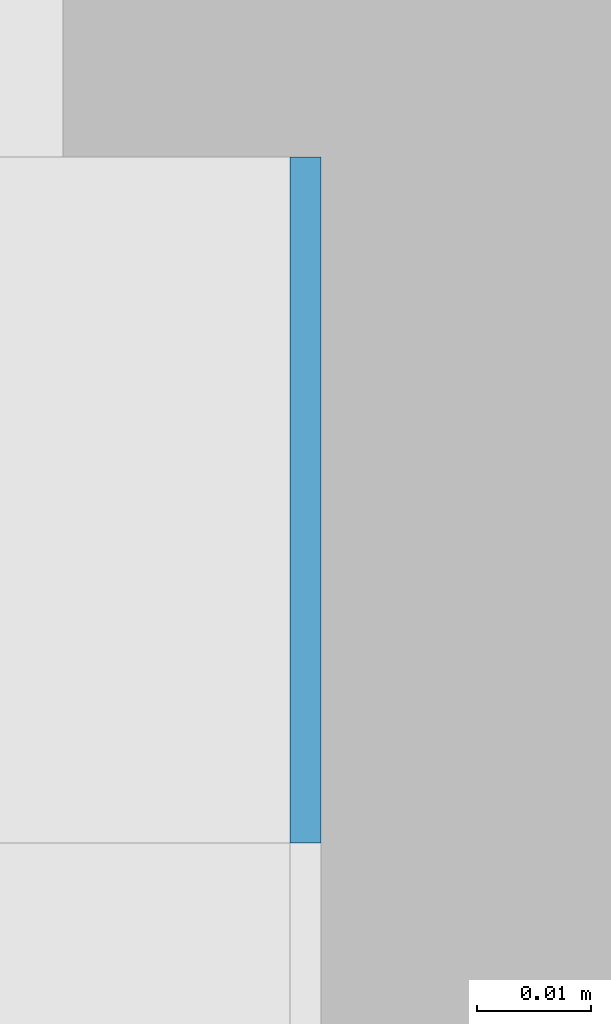
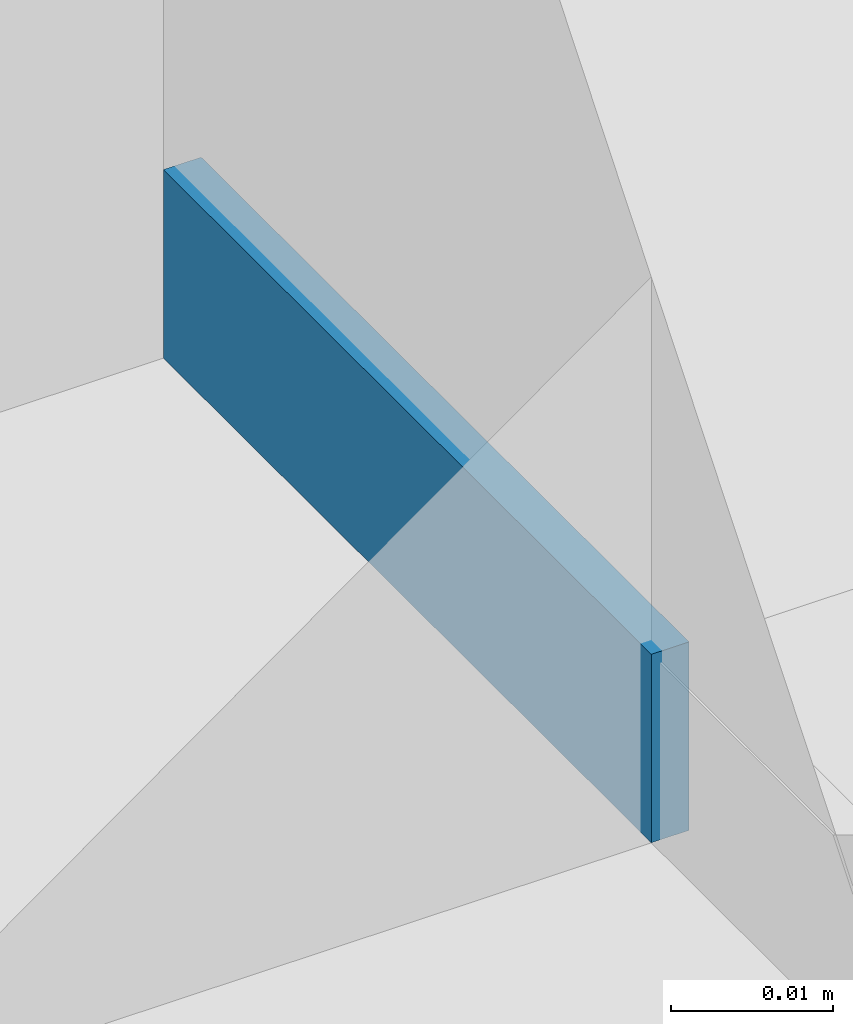
# One storey, part 334 of 646: 1 discrete accessory.
"""IFC4 building model written with IfcOpenShell, lengths in metres."""

from ifc_helpers import new_model, si_unit, direction, frame, origin, origin_2d, place, context, subcontext, project, spatial, rectangle, extrude, material, type_object, element, save


model = new_model("IFC4")

# Units and contexts
model_context = context("Model", 3, precision=1e-05, world=origin(), true_north=direction((0.0, 1.0)))
body_context = subcontext(model_context, "Body", "Model", "MODEL_VIEW")
ifc_project = project(units=[si_unit("LENGTHUNIT", "METRE"), si_unit("AREAUNIT", "SQUARE_METRE"), si_unit("VOLUMEUNIT", "CUBIC_METRE"), si_unit("PLANEANGLEUNIT", "RADIAN"), si_unit("MASSUNIT", "GRAM", prefix="KILO")], contexts=[model_context])

# Site, building, storey
site_placement = place(None, origin())
site = spatial("IfcSite", under=ifc_project, at=site_placement, CompositionType="ELEMENT")
building_placement = place(site_placement, origin())
building = spatial("IfcBuilding", under=site, at=building_placement, Name="Silverbay Arena", CompositionType="ELEMENT")
storey_placement = place(building_placement, frame((0.0, 0.0, 33.5)))
storey = spatial("IfcBuildingStorey", under=building, at=storey_placement, Name="L05", CompositionType="ELEMENT", Elevation=33.5)

# Discrete accessory
ifc_material = material(Name="Steel S355", Category="steel")
discrete_accessory_type = type_object("IfcDiscreteAccessoryType", Name="Steel bracket plate", PredefinedType="BRACKET", material=ifc_material)
discrete_accessory_placement = place(storey_placement, frame((53.871337890625, 81.030029296875, 4.0), z_axis=(0.0, 0.0, 1.0), x_axis=(1.0, 0.0, 0.0)))
element("IfcDiscreteAccessory", 1, at=discrete_accessory_placement, inside=storey, type_object=discrete_accessory_type, Name="Curtain wall packing plate", PredefinedType="BRACKET", context=body_context, shape_type="SweptSolid", body=[
    extrude(rectangle(XDim=0.002685546875, YDim=0.06005859375, at=origin_2d()), origin(), (0.0, 0.0, 1.0), 0.01416015625),
])

save(model, "model.ifc")
